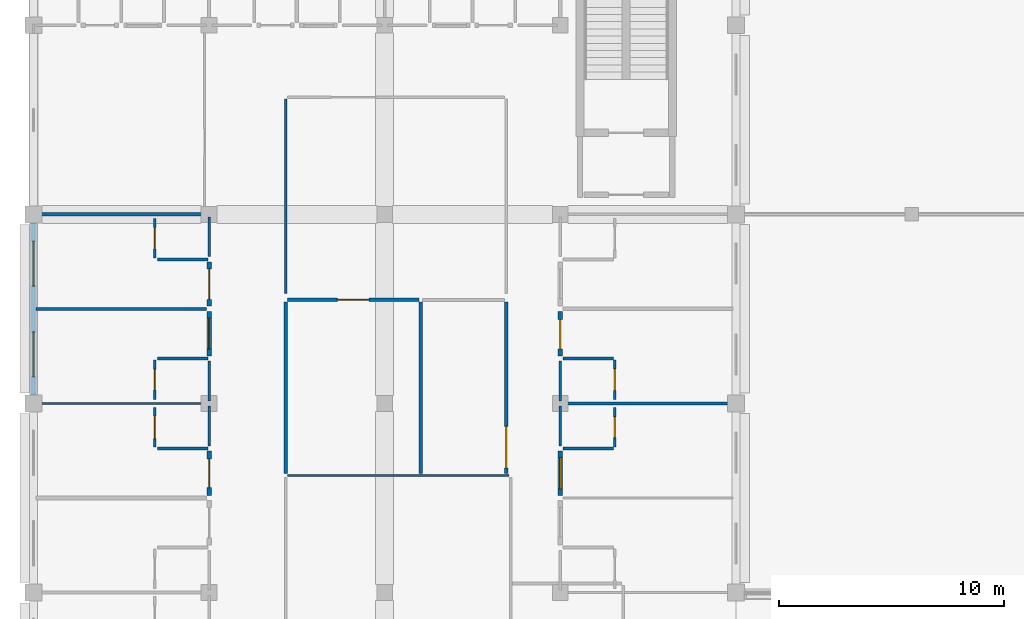
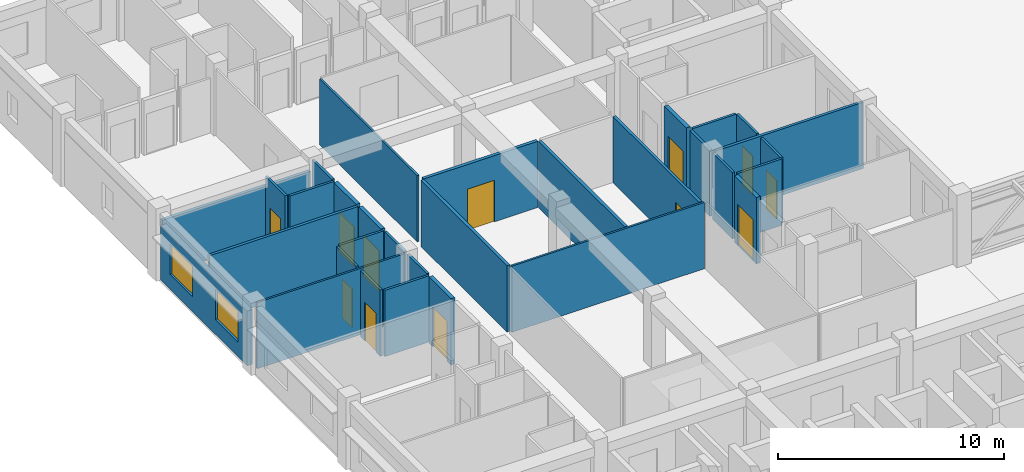
# One storey, part 57 of 72: 31 walls, 12 doors, 2 windows, 14 openings.
"""IFC4 building model written with IfcOpenShell, lengths in metres."""

from ifc_helpers import new_model, si_unit, direction, frame, frame_2d, origin, place, context, subcontext, project, spatial, rectangle, extrude, material, layer, layer_set, type_object, element, fill, save


model = new_model("IFC4")

# Units and contexts
model_context = context("Model", 3, precision=1e-05, world=origin(), true_north=direction((0.0, 1.0)))
body_context = subcontext(model_context, "Body", "Model", "MODEL_VIEW")
ifc_project = project(units=[si_unit("LENGTHUNIT", "METRE"), si_unit("AREAUNIT", "SQUARE_METRE"), si_unit("VOLUMEUNIT", "CUBIC_METRE"), si_unit("PLANEANGLEUNIT", "RADIAN"), si_unit("MASSUNIT", "GRAM", prefix="KILO"), si_unit("THERMODYNAMICTEMPERATUREUNIT", "KELVIN"), si_unit("POWERUNIT", "WATT")], contexts=[model_context])

# Site, building, storey
site_placement = place(None, origin())
site = spatial("IfcSite", under=ifc_project, at=site_placement, CompositionType="ELEMENT")
building_placement = place(site_placement, origin())
building = spatial("IfcBuilding", under=site, at=building_placement, Name="Srebrne Nadtorze General Hospital", CompositionType="ELEMENT")
storey_placement = place(building_placement, frame((0.0, 0.0, 22.199951171875)))
storey = spatial("IfcBuildingStorey", under=building, at=storey_placement, Name="L05", CompositionType="ELEMENT", Elevation=22.199951171875)

# Walls
ifc_material_1 = material(Name="Gypsum Healthcare Partition")
ifc_layer_1 = layer(ifc_material_1, 0.139892578125)
ifc_layer_set_1 = layer_set([ifc_layer_1], Name="Gypsum Healthcare Partition")
wall_type_1 = type_object("IfcWallType", Name="Clinical partition 140", PredefinedType="PARTITIONING", material=ifc_layer_set_1)
for number, where, z_axis, x_axis, name in (
    (1, (23.52001953125, 71.39990234375, 0.0), (0.0, 0.0, 1.0), (1.0, 0.0, 0.0), "Ward inter-room partition WL-INT-L05-1973"),
    (2, (46.919921875, 67.199951171875, 0.0), (0.0, 0.0, 1.0), (1.0, 0.0, 0.0), "Ward inter-room partition WL-INT-L05-1989"),
):
    element("IfcWall", number, at=place(storey_placement, frame(where, z_axis=z_axis, x_axis=x_axis)), inside=storey, type_object=wall_type_1, Name=name, PredefinedType="PARTITIONING", context=body_context, shape_type="SweptSolid", body=[
        extrude(rectangle(XDim=7.56005859375, YDim=0.139892578125, at=frame_2d((3.780029296875, 0.0))), origin(), (0.0, 0.0, 1.0), 3.580078125),
    ])

# Wall, opening, door
wall_1_placement = place(storey_placement, frame((44.39990234375, 64.0849609375, 0.0), z_axis=(0.0, 0.0, 1.0), x_axis=(0.0, 1.0, 0.0)))
wall_1 = element("IfcWall", 3, at=wall_1_placement, inside=storey, type_object=wall_type_1, Name="Dirty Utility wall WL-INT-L05-2113", PredefinedType="PARTITIONING", context=body_context, shape_type="SweptSolid", body=[
    extrude(rectangle(XDim=7.630126953125, YDim=0.139892578125, at=frame_2d((3.81494140625, 0.0))), origin(), (0.0, 0.0, 1.0), 3.580078125),
])
opening_1_placement = place(wall_1_placement, frame((0.25, 0.0, 0.0)))
opening_1 = element("IfcOpeningElement", 4, at=opening_1_placement, cuts=wall_1, Name="Opening D-L05-0448", PredefinedType="OPENING", context=body_context, shape_type="SweptSolid", body=[
    extrude(rectangle(XDim=1.85009765625, YDim=2.300048828125, at=frame_2d((0.925048828125, 1.14990234375))), frame((0.0, 0.08203125, 0.0), z_axis=(0.0, -1.0, 0.0), x_axis=(1.0, 0.0, 0.0)), (0.0, 0.0, 1.0), 0.163818359375),
])
ifc_material_2 = material(Name="Anodised Aluminium", Category="aluminium")
door_type_1 = type_object("IfcDoorType", Name="Double leaf door 1850x2300", OperationType="DOUBLE_DOOR_SINGLE_SWING", PredefinedType="DOOR", material=ifc_material_2)
door_1_placement = place(opening_1_placement, origin())
door_1 = element("IfcDoor", 5, at=door_1_placement, inside=storey, type_object=door_type_1, Name="Dirty Utility door D-L05-0448", OperationType="DOUBLE_DOOR_SINGLE_SWING", OverallHeight=2.300048828125, OverallWidth=1.85009765625, PredefinedType="DOOR", context=body_context, shape_type="SweptSolid", body=[
    extrude(rectangle(XDim=1.85009765625, YDim=2.300048828125, at=frame_2d((0.925048828125, 1.14990234375))), frame((0.0, 0.02490234375, 0.0), z_axis=(0.0, -1.0, 0.0), x_axis=(1.0, 0.0, 0.0)), (0.0, 0.0, 1.0), 0.050048828125),
])
fill(opening_1, door_1)

# Wall
ifc_material_3 = material(Name="Gypsum Healthcare Partition")
ifc_layer_2 = layer(ifc_material_3, 0.159912109375)
ifc_layer_set_2 = layer_set([ifc_layer_2], Name="Gypsum Healthcare Partition")
wall_type_2 = type_object("IfcWallType", Name="Clinical partition 160", PredefinedType="PARTITIONING", material=ifc_layer_set_2)
wall_2_placement = place(storey_placement, frame((23.52001953125, 75.60009765625, 0.0), z_axis=(0.0, 0.0, 1.0), x_axis=(1.0, 0.0, 0.0)))
element("IfcWall", 6, at=wall_2_placement, inside=storey, type_object=wall_type_2, Name="Ward inter-room partition WL-INT-L05-1978", PredefinedType="PARTITIONING", context=body_context, shape_type="SweptSolid", body=[
    extrude(rectangle(XDim=7.56005859375, YDim=0.159912109375, at=frame_2d((3.780029296875, 0.0))), origin(), (0.0, 0.0, 1.0), 2.949951171875),
])

# Wall, opening, door
wall_3_placement = place(storey_placement, frame((34.68505859375, 71.800048828125, 0.0), z_axis=(0.0, 0.0, 1.0), x_axis=(1.0, 0.0, 0.0)))
wall_3 = element("IfcWall", 7, at=wall_3_placement, inside=storey, type_object=wall_type_2, Name="Clean Medication Preparation Suite wall WL-INT-L05-2110", PredefinedType="PARTITIONING", context=body_context, shape_type="SweptSolid", body=[
    extrude(rectangle(XDim=5.829833984375, YDim=0.159912109375, at=frame_2d((2.9150390625, 0.0))), origin(), (0.0, 0.0, 1.0), 3.580078125),
])
opening_2_placement = place(wall_3_placement, frame((2.215087890625, 0.0, 0.0)))
opening_2 = element("IfcOpeningElement", 8, at=opening_2_placement, cuts=wall_3, Name="Opening D-L05-0447", PredefinedType="OPENING", context=body_context, shape_type="SweptSolid", body=[
    extrude(rectangle(XDim=1.39990234375, YDim=2.25, at=frame_2d((0.699951171875, 1.125))), frame((0.0, 0.091796875, 0.0), z_axis=(0.0, -1.0, 0.0), x_axis=(1.0, 0.0, 0.0)), (0.0, 0.0, 1.0), 0.183837890625),
])
ifc_material_4 = material(Name="Anodised Aluminium", Category="aluminium")
door_type_2 = type_object("IfcDoorType", Name="Single leaf door 1400x2250", OperationType="NOTDEFINED", PredefinedType="DOOR", material=ifc_material_4)
door_2_placement = place(opening_2_placement, frame((1.39990234375, 0.0, 0.0), z_axis=(0.0, 0.0, 1.0), x_axis=(-1.0, 0.0, 0.0)))
door_2 = element("IfcDoor", 9, at=door_2_placement, inside=storey, type_object=door_type_2, Name="Clean Medication Preparation Suite door D-L05-0447", OperationType="SINGLE_SWING_LEFT", OverallHeight=2.25, OverallWidth=1.39990234375, PredefinedType="DOOR", context=body_context, shape_type="SweptSolid", body=[
    extrude(rectangle(XDim=1.39990234375, YDim=2.25, at=frame_2d((0.699951171875, 1.125))), frame((0.0, 0.02490234375, 0.0), z_axis=(0.0, -1.0, 0.0), x_axis=(1.0, 0.0, 0.0)), (0.0, 0.0, 1.0), 0.050048828125),
])
fill(opening_2, door_2)

# Walls
for number, where, z_axis, x_axis, name in (
    (10, (34.60009765625, 64.0849609375, 0.0), (0.0, 0.0, 1.0), (0.0, 1.0, 0.0), "Clean Medication Preparation Suite wall WL-INT-L05-2111"),
    (11, (40.60009765625, 64.0849609375, 0.0), (0.0, 0.0, 1.0), (0.0, 1.0, 0.0), "Clean Medication Preparation Suite wall WL-INT-L05-2112"),
):
    element("IfcWall", number, at=place(storey_placement, frame(where, z_axis=z_axis, x_axis=x_axis)), inside=storey, type_object=wall_type_2, Name=name, PredefinedType="PARTITIONING", context=body_context, shape_type="SweptSolid", body=[
        extrude(rectangle(XDim=7.630126953125, YDim=0.159912109375, at=frame_2d((3.81494140625, 0.0))), origin(), (0.0, 0.0, 1.0), 3.580078125),
    ])

# Wall, opening, door
ifc_material_5 = material(Name="Gypsum Healthcare Partition")
ifc_layer_3 = layer(ifc_material_5, 0.199951171875)
ifc_layer_set_3 = layer_set([ifc_layer_3], Name="Gypsum Healthcare Partition")
wall_type_3 = type_object("IfcWallType", Name="Compartment wall 200", PredefinedType="STANDARD", material=ifc_layer_set_3)
wall_4_placement = place(storey_placement, frame((31.199951171875, 63.1201171875, 0.0), z_axis=(0.0, 0.0, 1.0), x_axis=(0.0, 1.0, 0.0)))
wall_4 = element("IfcWall", 12, at=wall_4_placement, inside=storey, type_object=wall_type_3, Name="Ward corridor wall WL-INT-L05-1969", PredefinedType="STANDARD", context=body_context, shape_type="SweptSolid", body=[
    extrude(rectangle(XDim=1.9599609375, YDim=0.199951171875, at=frame_2d((0.97998046875, 0.0))), origin(), (0.0, 0.0, 1.0), 3.580078125),
])
opening_3_placement = place(wall_4_placement, frame((0.340087890625, 0.0, 0.0)))
opening_3 = element("IfcOpeningElement", 13, at=opening_3_placement, cuts=wall_4, Name="Opening D-L05-0392", PredefinedType="OPENING", context=body_context, shape_type="SweptSolid", body=[
    extrude(rectangle(XDim=1.280029296875, YDim=2.14990234375, at=frame_2d((0.64013671875, 1.074951171875))), frame((0.0, 0.11181640625, 0.0), z_axis=(0.0, -1.0, 0.0), x_axis=(1.0, 0.0, 0.0)), (0.0, 0.0, 1.0), 0.223876953125),
])
ifc_material_6 = material(Name="Anodised Aluminium", Category="aluminium")
door_type_3 = type_object("IfcDoorType", Name="Single leaf door 1280x2150", OperationType="NOTDEFINED", PredefinedType="DOOR", material=ifc_material_6)
door_3_placement = place(opening_3_placement, origin())
door_3 = element("IfcDoor", 14, at=door_3_placement, inside=storey, type_object=door_type_3, Name="Ward patient room door D-L05-0392", OperationType="SINGLE_SWING_LEFT", OverallHeight=2.14990234375, OverallWidth=1.280029296875, PredefinedType="DOOR", context=body_context, shape_type="SweptSolid", body=[
    extrude(rectangle(XDim=1.280029296875, YDim=2.14990234375, at=frame_2d((0.64013671875, 1.074951171875))), frame((0.0, 0.02490234375, 0.0), z_axis=(0.0, -1.0, 0.0), x_axis=(1.0, 0.0, 0.0)), (0.0, 0.0, 1.0), 0.050048828125),
])
fill(opening_3, door_3)

wall_5_placement = place(storey_placement, frame((31.199951171875, 69.320068359375, 0.0), z_axis=(0.0, 0.0, 1.0), x_axis=(0.0, 1.0, 0.0)))
wall_5 = element("IfcWall", 15, at=wall_5_placement, inside=storey, type_object=wall_type_3, Name="Ward corridor wall WL-INT-L05-1974", PredefinedType="STANDARD", context=body_context, shape_type="SweptSolid", body=[
    extrude(rectangle(XDim=1.9599609375, YDim=0.199951171875, at=frame_2d((0.97998046875, 0.0))), origin(), (0.0, 0.0, 1.0), 3.580078125),
])
opening_4_placement = place(wall_5_placement, frame((0.2900390625, 0.0, 0.0)))
opening_4 = element("IfcOpeningElement", 16, at=opening_4_placement, cuts=wall_5, Name="Opening D-L05-0394", PredefinedType="OPENING", context=body_context, shape_type="SweptSolid", body=[
    extrude(rectangle(XDim=1.3798828125, YDim=2.199951171875, at=frame_2d((0.68994140625, 1.10009765625))), frame((0.0, 0.11181640625, 0.0), z_axis=(0.0, -1.0, 0.0), x_axis=(1.0, 0.0, 0.0)), (0.0, 0.0, 1.0), 0.223876953125),
])
ifc_material_7 = material(Name="Anodised Aluminium", Category="aluminium")
door_type_4 = type_object("IfcDoorType", Name="Single leaf door 1380x2200", OperationType="NOTDEFINED", PredefinedType="DOOR", material=ifc_material_7)
door_4_placement = place(opening_4_placement, origin())
door_4 = element("IfcDoor", 17, at=door_4_placement, inside=storey, type_object=door_type_4, Name="Ward patient room door D-L05-0394", OperationType="SINGLE_SWING_LEFT", OverallHeight=2.199951171875, OverallWidth=1.3798828125, PredefinedType="DOOR", context=body_context, shape_type="SweptSolid", body=[
    extrude(rectangle(XDim=1.3798828125, YDim=2.199951171875, at=frame_2d((0.68994140625, 1.10009765625))), frame((0.0, 0.02490234375, 0.0), z_axis=(0.0, -1.0, 0.0), x_axis=(1.0, 0.0, 0.0)), (0.0, 0.0, 1.0), 0.050048828125),
])
fill(opening_4, door_4)

wall_6_placement = place(storey_placement, frame((31.199951171875, 71.52001953125, 0.0), z_axis=(0.0, 0.0, 1.0), x_axis=(0.0, 1.0, 0.0)))
wall_6 = element("IfcWall", 18, at=wall_6_placement, inside=storey, type_object=wall_type_3, Name="Ward corridor wall WL-INT-L05-1979", PredefinedType="STANDARD", context=body_context, shape_type="SweptSolid", body=[
    extrude(rectangle(XDim=1.9599609375, YDim=0.199951171875, at=frame_2d((0.97998046875, 0.0))), origin(), (0.0, 0.0, 1.0), 3.580078125),
])
opening_5_placement = place(wall_6_placement, frame((0.304931640625, 0.0, 0.0)))
opening_5 = element("IfcOpeningElement", 19, at=opening_5_placement, cuts=wall_6, Name="Opening D-L05-0396", PredefinedType="OPENING", context=body_context, shape_type="SweptSolid", body=[
    extrude(rectangle(XDim=1.35009765625, YDim=2.14990234375, at=frame_2d((0.675048828125, 1.074951171875))), frame((0.0, 0.11181640625, 0.0), z_axis=(0.0, -1.0, 0.0), x_axis=(1.0, 0.0, 0.0)), (0.0, 0.0, 1.0), 0.223876953125),
])
ifc_material_8 = material(Name="Anodised Aluminium", Category="aluminium")
door_type_5 = type_object("IfcDoorType", Name="Single leaf door 1350x2150", OperationType="NOTDEFINED", PredefinedType="DOOR", material=ifc_material_8)
door_5_placement = place(opening_5_placement, origin())
door_5 = element("IfcDoor", 20, at=door_5_placement, inside=storey, type_object=door_type_5, Name="Ward patient room door D-L05-0396", OperationType="SINGLE_SWING_LEFT", OverallHeight=2.14990234375, OverallWidth=1.35009765625, PredefinedType="DOOR", context=body_context, shape_type="SweptSolid", body=[
    extrude(rectangle(XDim=1.35009765625, YDim=2.14990234375, at=frame_2d((0.675048828125, 1.074951171875))), frame((0.0, 0.02490234375, 0.0), z_axis=(0.0, -1.0, 0.0), x_axis=(1.0, 0.0, 0.0)), (0.0, 0.0, 1.0), 0.050048828125),
])
fill(opening_5, door_5)

wall_7_placement = place(storey_placement, frame((46.800048828125, 63.1201171875, 0.0), z_axis=(0.0, 0.0, 1.0), x_axis=(0.0, 1.0, 0.0)))
wall_7 = element("IfcWall", 21, at=wall_7_placement, inside=storey, type_object=wall_type_3, Name="Ward corridor wall WL-INT-L05-1990", PredefinedType="STANDARD", context=body_context, shape_type="SweptSolid", body=[
    extrude(rectangle(XDim=1.9599609375, YDim=0.199951171875, at=frame_2d((0.97998046875, 0.0))), origin(), (0.0, 0.0, 1.0), 3.580078125),
])
opening_6_placement = place(wall_7_placement, frame((0.2900390625, 0.0, 0.0)))
opening_6 = element("IfcOpeningElement", 22, at=opening_6_placement, cuts=wall_7, Name="Opening D-L05-0400", PredefinedType="OPENING", context=body_context, shape_type="SweptSolid", body=[
    extrude(rectangle(XDim=1.3798828125, YDim=2.199951171875, at=frame_2d((0.68994140625, 1.10009765625))), frame((0.0, 0.11181640625, 0.0), z_axis=(0.0, -1.0, 0.0), x_axis=(1.0, 0.0, 0.0)), (0.0, 0.0, 1.0), 0.223876953125),
])
door_6_placement = place(opening_6_placement, frame((1.3798828125, 0.0, 0.0), z_axis=(0.0, 0.0, 1.0), x_axis=(-1.0, 0.0, 0.0)))
door_6 = element("IfcDoor", 23, at=door_6_placement, inside=storey, type_object=door_type_4, Name="Ward patient room door D-L05-0400", OperationType="SINGLE_SWING_LEFT", OverallHeight=2.199951171875, OverallWidth=1.3798828125, PredefinedType="DOOR", context=body_context, shape_type="SweptSolid", body=[
    extrude(rectangle(XDim=1.3798828125, YDim=2.199951171875, at=frame_2d((0.68994140625, 1.10009765625))), frame((0.0, 0.02490234375, 0.0), z_axis=(0.0, -1.0, 0.0), x_axis=(1.0, 0.0, 0.0)), (0.0, 0.0, 1.0), 0.050048828125),
])
fill(opening_6, door_6)

wall_8_placement = place(storey_placement, frame((46.800048828125, 69.320068359375, 0.0), z_axis=(0.0, 0.0, 1.0), x_axis=(0.0, 1.0, 0.0)))
wall_8 = element("IfcWall", 24, at=wall_8_placement, inside=storey, type_object=wall_type_3, Name="Ward corridor wall WL-INT-L05-1995", PredefinedType="STANDARD", context=body_context, shape_type="SweptSolid", body=[
    extrude(rectangle(XDim=1.9599609375, YDim=0.199951171875, at=frame_2d((0.97998046875, 0.0))), origin(), (0.0, 0.0, 1.0), 3.580078125),
])
opening_7_placement = place(wall_8_placement, frame((0.304931640625, 0.0, 0.0)))
opening_7 = element("IfcOpeningElement", 25, at=opening_7_placement, cuts=wall_8, Name="Opening D-L05-0402", PredefinedType="OPENING", context=body_context, shape_type="SweptSolid", body=[
    extrude(rectangle(XDim=1.300048828125, YDim=2.14990234375, at=frame_2d((0.64990234375, 1.074951171875))), frame((0.0, 0.11181640625, 0.0), z_axis=(0.0, -1.0, 0.0), x_axis=(1.0, 0.0, 0.0)), (0.0, 0.0, 1.0), 0.223876953125),
])
ifc_material_9 = material(Name="Anodised Aluminium", Category="aluminium")
door_type_6 = type_object("IfcDoorType", Name="Single leaf door 1300x2150", OperationType="NOTDEFINED", PredefinedType="DOOR", material=ifc_material_9)
door_7_placement = place(opening_7_placement, frame((1.300048828125, 0.0, 0.0), z_axis=(0.0, 0.0, 1.0), x_axis=(-1.0, 0.0, 0.0)))
door_7 = element("IfcDoor", 26, at=door_7_placement, inside=storey, type_object=door_type_6, Name="Ward patient room door D-L05-0402", OperationType="SINGLE_SWING_RIGHT", OverallHeight=2.14990234375, OverallWidth=1.300048828125, PredefinedType="DOOR", context=body_context, shape_type="SweptSolid", body=[
    extrude(rectangle(XDim=1.300048828125, YDim=2.14990234375, at=frame_2d((0.64990234375, 1.074951171875))), frame((0.0, 0.02490234375, 0.0), z_axis=(0.0, -1.0, 0.0), x_axis=(1.0, 0.0, 0.0)), (0.0, 0.0, 1.0), 0.050048828125),
])
fill(opening_7, door_7)

# Walls
ifc_material_10 = material(Name="Gypsum Healthcare Partition")
ifc_layer_4 = layer(ifc_material_10, 0.1201171875)
ifc_layer_set_4 = layer_set([ifc_layer_4], Name="Gypsum Healthcare Partition")
wall_type_4 = type_object("IfcWallType", Name="En-suite partition 120", PredefinedType="PARTITIONING", material=ifc_layer_set_4)
wall_9_placement = place(storey_placement, frame((31.199951171875, 65.320068359375, 0.0), z_axis=(0.0, 0.0, 1.0), x_axis=(0.0, 1.0, 0.0)))
element("IfcWall", 27, at=wall_9_placement, inside=storey, type_object=wall_type_4, Name="En-suite corridor wall WL-INT-L05-1970", PredefinedType="PARTITIONING", context=body_context, shape_type="SweptSolid", body=[
    extrude(rectangle(XDim=1.760009765625, YDim=0.1201171875, at=frame_2d((0.8798828125, 0.0))), origin(), (0.0, 0.0, 1.0), 3.580078125),
])
wall_10_placement = place(storey_placement, frame((28.89990234375, 65.199951171875, 0.0), z_axis=(0.0, 0.0, 1.0), x_axis=(1.0, 0.0, 0.0)))
element("IfcWall", 28, at=wall_10_placement, inside=storey, type_object=wall_type_4, Name="En-suite wet wall WL-INT-L05-1971", PredefinedType="PARTITIONING", context=body_context, shape_type="SweptSolid", body=[
    extrude(rectangle(XDim=2.239990234375, YDim=0.1201171875, at=frame_2d((1.1201171875, 0.0))), origin(), (0.0, 0.0, 1.0), 3.580078125),
])

# Wall, opening, door
wall_11_placement = place(storey_placement, frame((28.780029296875, 65.260009765625, 0.0), z_axis=(0.0, 0.0, 1.0), x_axis=(0.0, 1.0, 0.0)))
wall_11 = element("IfcWall", 29, at=wall_11_placement, inside=storey, type_object=wall_type_4, Name="En-suite wet wall WL-INT-L05-1972", PredefinedType="PARTITIONING", context=body_context, shape_type="SweptSolid", body=[
    extrude(rectangle(XDim=1.760009765625, YDim=0.1201171875, at=frame_2d((0.8798828125, 0.0))), origin(), (0.0, 0.0, 1.0), 3.580078125),
])
opening_8_placement = place(wall_11_placement, frame((0.3798828125, 0.0, 0.0)))
opening_8 = element("IfcOpeningElement", 30, at=opening_8_placement, cuts=wall_11, Name="Opening D-L05-0393", PredefinedType="OPENING", context=body_context, shape_type="SweptSolid", body=[
    extrude(rectangle(XDim=1.0, YDim=2.10009765625, at=frame_2d((0.5, 1.050048828125))), frame((0.0, 0.072021484375, 0.0), z_axis=(0.0, -1.0, 0.0), x_axis=(1.0, 0.0, 0.0)), (0.0, 0.0, 1.0), 0.14404296875),
])
ifc_material_11 = material(Name="Anodised Aluminium", Category="aluminium")
door_type_7 = type_object("IfcDoorType", Name="Single leaf door 1000x2100", OperationType="NOTDEFINED", PredefinedType="DOOR", material=ifc_material_11)
door_8_placement = place(opening_8_placement, frame((1.0, 0.0, 0.0), z_axis=(0.0, 0.0, 1.0), x_axis=(-1.0, 0.0, 0.0)))
door_8 = element("IfcDoor", 31, at=door_8_placement, inside=storey, type_object=door_type_7, Name="En-suite bathroom door D-L05-0393", OperationType="SINGLE_SWING_LEFT", OverallHeight=2.10009765625, OverallWidth=1.0, PredefinedType="DOOR", context=body_context, shape_type="SweptSolid", body=[
    extrude(rectangle(XDim=1.0, YDim=2.10009765625, at=frame_2d((0.5, 1.050048828125))), frame((0.0, 0.02490234375, 0.0), z_axis=(0.0, -1.0, 0.0), x_axis=(1.0, 0.0, 0.0)), (0.0, 0.0, 1.0), 0.050048828125),
])
fill(opening_8, door_8)

# Walls
wall_12_placement = place(storey_placement, frame((31.199951171875, 67.320068359375, 0.0), z_axis=(0.0, 0.0, 1.0), x_axis=(0.0, 1.0, 0.0)))
element("IfcWall", 32, at=wall_12_placement, inside=storey, type_object=wall_type_4, Name="En-suite corridor wall WL-INT-L05-1975", PredefinedType="PARTITIONING", context=body_context, shape_type="SweptSolid", body=[
    extrude(rectangle(XDim=1.760009765625, YDim=0.1201171875, at=frame_2d((0.8798828125, 0.0))), origin(), (0.0, 0.0, 1.0), 3.580078125),
])
wall_13_placement = place(storey_placement, frame((28.89990234375, 69.199951171875, 0.0), z_axis=(0.0, 0.0, 1.0), x_axis=(1.0, 0.0, 0.0)))
element("IfcWall", 33, at=wall_13_placement, inside=storey, type_object=wall_type_4, Name="En-suite wet wall WL-INT-L05-1976", PredefinedType="PARTITIONING", context=body_context, shape_type="SweptSolid", body=[
    extrude(rectangle(XDim=2.239990234375, YDim=0.1201171875, at=frame_2d((1.1201171875, 0.0))), origin(), (0.0, 0.0, 1.0), 3.580078125),
])

# Wall, opening, door
wall_14_placement = place(storey_placement, frame((28.780029296875, 67.3798828125, 0.0), z_axis=(0.0, 0.0, 1.0), x_axis=(0.0, 1.0, 0.0)))
wall_14 = element("IfcWall", 34, at=wall_14_placement, inside=storey, type_object=wall_type_4, Name="En-suite wet wall WL-INT-L05-1977", PredefinedType="PARTITIONING", context=body_context, shape_type="SweptSolid", body=[
    extrude(rectangle(XDim=1.760009765625, YDim=0.1201171875, at=frame_2d((0.8798828125, 0.0))), origin(), (0.0, 0.0, 1.0), 3.580078125),
])
opening_9_placement = place(wall_14_placement, frame((0.419921875, 0.0, 0.0)))
opening_9 = element("IfcOpeningElement", 35, at=opening_9_placement, cuts=wall_14, Name="Opening D-L05-0395", PredefinedType="OPENING", context=body_context, shape_type="SweptSolid", body=[
    extrude(rectangle(XDim=0.919921875, YDim=2.080078125, at=frame_2d((0.4599609375, 1.0400390625))), frame((0.0, 0.072021484375, 0.0), z_axis=(0.0, -1.0, 0.0), x_axis=(1.0, 0.0, 0.0)), (0.0, 0.0, 1.0), 0.14404296875),
])
ifc_material_12 = material(Name="Anodised Aluminium", Category="aluminium")
door_type_8 = type_object("IfcDoorType", Name="Single leaf door 920x2080", OperationType="NOTDEFINED", PredefinedType="DOOR", material=ifc_material_12)
door_9_placement = place(opening_9_placement, frame((0.919921875, 0.0, 0.0), z_axis=(0.0, 0.0, 1.0), x_axis=(-1.0, 0.0, 0.0)))
door_9 = element("IfcDoor", 36, at=door_9_placement, inside=storey, type_object=door_type_8, Name="En-suite bathroom door D-L05-0395", OperationType="SINGLE_SWING_LEFT", OverallHeight=2.080078125, OverallWidth=0.919921875, PredefinedType="DOOR", context=body_context, shape_type="SweptSolid", body=[
    extrude(rectangle(XDim=0.919921875, YDim=2.080078125, at=frame_2d((0.4599609375, 1.0400390625))), frame((0.0, 0.02490234375, 0.0), z_axis=(0.0, -1.0, 0.0), x_axis=(1.0, 0.0, 0.0)), (0.0, 0.0, 1.0), 0.050048828125),
])
fill(opening_9, door_9)

# Walls
wall_15_placement = place(storey_placement, frame((31.199951171875, 73.719970703125, 0.0), z_axis=(0.0, 0.0, 1.0), x_axis=(0.0, 1.0, 0.0)))
element("IfcWall", 37, at=wall_15_placement, inside=storey, type_object=wall_type_4, Name="En-suite corridor wall WL-INT-L05-1980", PredefinedType="PARTITIONING", context=body_context, shape_type="SweptSolid", body=[
    extrude(rectangle(XDim=1.760009765625, YDim=0.1201171875, at=frame_2d((0.8798828125, 0.0))), origin(), (0.0, 0.0, 1.0), 3.580078125),
])
wall_16_placement = place(storey_placement, frame((28.89990234375, 73.60009765625, 0.0), z_axis=(0.0, 0.0, 1.0), x_axis=(1.0, 0.0, 0.0)))
element("IfcWall", 38, at=wall_16_placement, inside=storey, type_object=wall_type_4, Name="En-suite wet wall WL-INT-L05-1981", PredefinedType="PARTITIONING", context=body_context, shape_type="SweptSolid", body=[
    extrude(rectangle(XDim=2.239990234375, YDim=0.1201171875, at=frame_2d((1.1201171875, 0.0))), origin(), (0.0, 0.0, 1.0), 3.580078125),
])

# Wall, opening, door
wall_17_placement = place(storey_placement, frame((28.780029296875, 73.659912109375, 0.0), z_axis=(0.0, 0.0, 1.0), x_axis=(0.0, 1.0, 0.0)))
wall_17 = element("IfcWall", 39, at=wall_17_placement, inside=storey, type_object=wall_type_4, Name="En-suite wet wall WL-INT-L05-1982", PredefinedType="PARTITIONING", context=body_context, shape_type="SweptSolid", body=[
    extrude(rectangle(XDim=1.760009765625, YDim=0.1201171875, at=frame_2d((0.8798828125, 0.0))), origin(), (0.0, 0.0, 1.0), 3.580078125),
])
opening_10_placement = place(wall_17_placement, frame((0.405029296875, 0.0, 0.0)))
opening_10 = element("IfcOpeningElement", 40, at=opening_10_placement, cuts=wall_17, Name="Opening D-L05-0397", PredefinedType="OPENING", context=body_context, shape_type="SweptSolid", body=[
    extrude(rectangle(XDim=0.949951171875, YDim=2.10009765625, at=frame_2d((0.47509765625, 1.050048828125))), frame((0.0, 0.072021484375, 0.0), z_axis=(0.0, -1.0, 0.0), x_axis=(1.0, 0.0, 0.0)), (0.0, 0.0, 1.0), 0.14404296875),
])
ifc_material_13 = material(Name="Anodised Aluminium", Category="aluminium")
door_type_9 = type_object("IfcDoorType", Name="Single leaf door 950x2100", OperationType="NOTDEFINED", PredefinedType="DOOR", material=ifc_material_13)
door_10_placement = place(opening_10_placement, frame((0.949951171875, 0.0, 0.0), z_axis=(0.0, 0.0, 1.0), x_axis=(-1.0, 0.0, 0.0)))
door_10 = element("IfcDoor", 41, at=door_10_placement, inside=storey, type_object=door_type_9, Name="En-suite bathroom door D-L05-0397", OperationType="SINGLE_SWING_LEFT", OverallHeight=2.10009765625, OverallWidth=0.949951171875, PredefinedType="DOOR", context=body_context, shape_type="SweptSolid", body=[
    extrude(rectangle(XDim=0.949951171875, YDim=2.10009765625, at=frame_2d((0.47509765625, 1.050048828125))), frame((0.0, 0.02490234375, 0.0), z_axis=(0.0, -1.0, 0.0), x_axis=(1.0, 0.0, 0.0)), (0.0, 0.0, 1.0), 0.050048828125),
])
fill(opening_10, door_10)

# Walls
wall_18_placement = place(storey_placement, frame((46.800048828125, 65.320068359375, 0.0), z_axis=(0.0, 0.0, 1.0), x_axis=(0.0, 1.0, 0.0)))
element("IfcWall", 42, at=wall_18_placement, inside=storey, type_object=wall_type_4, Name="En-suite corridor wall WL-INT-L05-1991", PredefinedType="PARTITIONING", context=body_context, shape_type="SweptSolid", body=[
    extrude(rectangle(XDim=1.760009765625, YDim=0.1201171875, at=frame_2d((0.8798828125, 0.0))), origin(), (0.0, 0.0, 1.0), 3.580078125),
])
wall_19_placement = place(storey_placement, frame((46.919921875, 65.199951171875, 0.0), z_axis=(0.0, 0.0, 1.0), x_axis=(1.0, 0.0, 0.0)))
element("IfcWall", 43, at=wall_19_placement, inside=storey, type_object=wall_type_4, Name="En-suite wet wall WL-INT-L05-1992", PredefinedType="PARTITIONING", context=body_context, shape_type="SweptSolid", body=[
    extrude(rectangle(XDim=2.239990234375, YDim=0.1201171875, at=frame_2d((1.1201171875, 0.0))), origin(), (0.0, 0.0, 1.0), 3.580078125),
])

# Wall, opening, door
wall_20_placement = place(storey_placement, frame((49.219970703125, 65.260009765625, 0.0), z_axis=(0.0, 0.0, 1.0), x_axis=(0.0, 1.0, 0.0)))
wall_20 = element("IfcWall", 44, at=wall_20_placement, inside=storey, type_object=wall_type_4, Name="En-suite wet wall WL-INT-L05-1993", PredefinedType="PARTITIONING", context=body_context, shape_type="SweptSolid", body=[
    extrude(rectangle(XDim=1.760009765625, YDim=0.1201171875, at=frame_2d((0.8798828125, 0.0))), origin(), (0.0, 0.0, 1.0), 3.580078125),
])
opening_11_placement = place(wall_20_placement, frame((0.419921875, 0.0, 0.0)))
opening_11 = element("IfcOpeningElement", 45, at=opening_11_placement, cuts=wall_20, Name="Opening D-L05-0401", PredefinedType="OPENING", context=body_context, shape_type="SweptSolid", body=[
    extrude(rectangle(XDim=0.919921875, YDim=2.080078125, at=frame_2d((0.4599609375, 1.0400390625))), frame((0.0, 0.072021484375, 0.0), z_axis=(0.0, -1.0, 0.0), x_axis=(1.0, 0.0, 0.0)), (0.0, 0.0, 1.0), 0.14404296875),
])
door_11_placement = place(opening_11_placement, origin())
door_11 = element("IfcDoor", 46, at=door_11_placement, inside=storey, type_object=door_type_8, Name="En-suite bathroom door D-L05-0401", OperationType="SINGLE_SWING_LEFT", OverallHeight=2.080078125, OverallWidth=0.919921875, PredefinedType="DOOR", context=body_context, shape_type="SweptSolid", body=[
    extrude(rectangle(XDim=0.919921875, YDim=2.080078125, at=frame_2d((0.4599609375, 1.0400390625))), frame((0.0, 0.02490234375, 0.0), z_axis=(0.0, -1.0, 0.0), x_axis=(1.0, 0.0, 0.0)), (0.0, 0.0, 1.0), 0.050048828125),
])
fill(opening_11, door_11)

# Walls
wall_21_placement = place(storey_placement, frame((46.800048828125, 67.320068359375, 0.0), z_axis=(0.0, 0.0, 1.0), x_axis=(0.0, 1.0, 0.0)))
element("IfcWall", 47, at=wall_21_placement, inside=storey, type_object=wall_type_4, Name="En-suite corridor wall WL-INT-L05-1996", PredefinedType="PARTITIONING", context=body_context, shape_type="SweptSolid", body=[
    extrude(rectangle(XDim=1.760009765625, YDim=0.1201171875, at=frame_2d((0.8798828125, 0.0))), origin(), (0.0, 0.0, 1.0), 3.580078125),
])
wall_22_placement = place(storey_placement, frame((46.919921875, 69.199951171875, 0.0), z_axis=(0.0, 0.0, 1.0), x_axis=(1.0, 0.0, 0.0)))
element("IfcWall", 48, at=wall_22_placement, inside=storey, type_object=wall_type_4, Name="En-suite wet wall WL-INT-L05-1997", PredefinedType="PARTITIONING", context=body_context, shape_type="SweptSolid", body=[
    extrude(rectangle(XDim=2.239990234375, YDim=0.1201171875, at=frame_2d((1.1201171875, 0.0))), origin(), (0.0, 0.0, 1.0), 3.580078125),
])

# Wall, opening, door
wall_23_placement = place(storey_placement, frame((49.219970703125, 67.3798828125, 0.0), z_axis=(0.0, 0.0, 1.0), x_axis=(0.0, 1.0, 0.0)))
wall_23 = element("IfcWall", 49, at=wall_23_placement, inside=storey, type_object=wall_type_4, Name="En-suite wet wall WL-INT-L05-1998", PredefinedType="PARTITIONING", context=body_context, shape_type="SweptSolid", body=[
    extrude(rectangle(XDim=1.760009765625, YDim=0.1201171875, at=frame_2d((0.8798828125, 0.0))), origin(), (0.0, 0.0, 1.0), 3.580078125),
])
opening_12_placement = place(wall_23_placement, frame((0.405029296875, 0.0, 0.0)))
opening_12 = element("IfcOpeningElement", 50, at=opening_12_placement, cuts=wall_23, Name="Opening D-L05-0403", PredefinedType="OPENING", context=body_context, shape_type="SweptSolid", body=[
    extrude(rectangle(XDim=0.949951171875, YDim=2.10009765625, at=frame_2d((0.47509765625, 1.050048828125))), frame((0.0, 0.072021484375, 0.0), z_axis=(0.0, -1.0, 0.0), x_axis=(1.0, 0.0, 0.0)), (0.0, 0.0, 1.0), 0.14404296875),
])
door_12_placement = place(opening_12_placement, origin())
door_12 = element("IfcDoor", 51, at=door_12_placement, inside=storey, type_object=door_type_9, Name="En-suite bathroom door D-L05-0403", OperationType="SINGLE_SWING_LEFT", OverallHeight=2.10009765625, OverallWidth=0.949951171875, PredefinedType="DOOR", context=body_context, shape_type="SweptSolid", body=[
    extrude(rectangle(XDim=0.949951171875, YDim=2.10009765625, at=frame_2d((0.47509765625, 1.050048828125))), frame((0.0, 0.02490234375, 0.0), z_axis=(0.0, -1.0, 0.0), x_axis=(1.0, 0.0, 0.0)), (0.0, 0.0, 1.0), 0.050048828125),
])
fill(opening_12, door_12)

# Walls
ifc_material_14 = material(Name="Gypsum Healthcare Partition")
ifc_layer_5 = layer(ifc_material_14, 0.10009765625)
ifc_layer_set_5 = layer_set([ifc_layer_5], Name="Gypsum Healthcare Partition")
wall_type_5 = type_object("IfcWallType", Name="Shaft lining wall 100", PredefinedType="PARTITIONING", material=ifc_layer_set_5)
wall_24_placement = place(storey_placement, frame((23.52001953125, 67.199951171875, 0.0), z_axis=(0.0, 0.0, 1.0), x_axis=(1.0, 0.0, 0.0)))
element("IfcWall", 52, at=wall_24_placement, inside=storey, type_object=wall_type_5, Name="Ward inter-room partition WL-INT-L05-1968", PredefinedType="PARTITIONING", context=body_context, shape_type="SweptSolid", body=[
    extrude(rectangle(XDim=7.56005859375, YDim=0.10009765625, at=frame_2d((3.780029296875, 0.0))), origin(), (0.0, 0.0, 1.0), 3.580078125),
])
wall_25_placement = place(storey_placement, frame((34.68505859375, 64.0, 0.0), z_axis=(0.0, 0.0, 1.0), x_axis=(1.0, 0.0, 0.0)))
element("IfcWall", 53, at=wall_25_placement, inside=storey, type_object=wall_type_5, Name="Nursing Station wall WL-INT-L05-2107", PredefinedType="PARTITIONING", context=body_context, shape_type="SweptSolid", body=[
    extrude(rectangle(XDim=9.829833984375, YDim=0.10009765625, at=frame_2d((4.9150390625, 0.0))), origin(), (0.0, 0.0, 1.0), 3.580078125),
])
wall_26_placement = place(storey_placement, frame((34.60009765625, 72.0849609375, 0.0), z_axis=(0.0, 0.0, 1.0), x_axis=(0.0, 1.0, 0.0)))
element("IfcWall", 54, at=wall_26_placement, inside=storey, type_object=wall_type_5, Name="Neuro-Rehabilitation Gait Room wall WL-INT-L05-2116", PredefinedType="PARTITIONING", context=body_context, shape_type="SweptSolid", body=[
    extrude(rectangle(XDim=8.630126953125, YDim=0.10009765625, at=frame_2d((4.31494140625, 0.0))), origin(), (0.0, 0.0, 1.0), 3.580078125),
])

# Wall, openings, windows
ifc_material_15 = material(Name="Concrete C35/45 precast", Category="concrete")
ifc_layer_6 = layer(ifc_material_15, 0.280029296875)
ifc_layer_set_6 = layer_set([ifc_layer_6], Name="Concrete C35/45 precast")
wall_type_6 = type_object("IfcWallType", Name="Spandrel wall 280", PredefinedType="STANDARD", material=ifc_layer_set_6)
wall_27_placement = place(storey_placement, frame((23.39990234375, 67.574951171875, 0.0), z_axis=(0.0, 0.0, 1.0), x_axis=(0.0, 1.0, 0.0)))
wall_27 = element("IfcWall", 55, at=wall_27_placement, inside=storey, type_object=wall_type_6, Name="Exterior wall WL-ENV-L05-0431", PredefinedType="STANDARD", context=body_context, shape_type="SweptSolid", body=[
    extrude(rectangle(XDim=7.650146484375, YDim=0.280029296875, at=frame_2d((3.8251953125, 0.0))), origin(), (0.0, 0.0, 1.0), 2.949951171875),
])
opening_13_placement = place(wall_27_placement, frame((0.80908203125, 0.0, 0.800048828125)))
opening_13 = element("IfcOpeningElement", 56, at=opening_13_placement, cuts=wall_27, Name="Opening WN-L05-0691", PredefinedType="OPENING", context=body_context, shape_type="SweptSolid", body=[
    extrude(rectangle(XDim=2.0, YDim=1.64990234375, at=frame_2d((1.0, 0.824951171875))), frame((0.0, 0.15185546875, 0.0), z_axis=(0.0, -1.0, 0.0), x_axis=(1.0, 0.0, 0.0)), (0.0, 0.0, 1.0), 0.303955078125),
])
opening_14_placement = place(wall_27_placement, frame((4.841064453125, 0.0, 0.800048828125)))
opening_14 = element("IfcOpeningElement", 57, at=opening_14_placement, cuts=wall_27, Name="Opening WN-L05-0692", PredefinedType="OPENING", context=body_context, shape_type="SweptSolid", body=[
    extrude(rectangle(XDim=2.0, YDim=1.64990234375, at=frame_2d((1.0, 0.824951171875))), frame((0.0, 0.15185546875, 0.0), z_axis=(0.0, -1.0, 0.0), x_axis=(1.0, 0.0, 0.0)), (0.0, 0.0, 1.0), 0.303955078125),
])
ifc_material_16 = material(Name="Triple Low-E Glazing", Category="glass")
window_type = type_object("IfcWindowType", Name="Punched clinical window 2000x1650", PartitioningType="DOUBLE_PANEL_VERTICAL", PredefinedType="WINDOW", material=ifc_material_16)
window_1_placement = place(opening_13_placement, origin())
window_1 = element("IfcWindow", 58, at=window_1_placement, inside=storey, type_object=window_type, Name="Clinical window WN-L05-0691", OverallHeight=1.64990234375, OverallWidth=2.0, PartitioningType="DOUBLE_PANEL_VERTICAL", PredefinedType="WINDOW", context=body_context, shape_type="SweptSolid", body=[
    extrude(rectangle(XDim=2.0, YDim=1.64990234375, at=frame_2d((1.0, 0.824951171875))), frame((0.0, 0.030029296875, 0.0), z_axis=(0.0, -1.0, 0.0), x_axis=(1.0, 0.0, 0.0)), (0.0, 0.0, 1.0), 0.06005859375),
])
fill(opening_13, window_1)
window_2_placement = place(opening_14_placement, origin())
window_2 = element("IfcWindow", 59, at=window_2_placement, inside=storey, type_object=window_type, Name="Clinical window WN-L05-0692", OverallHeight=1.64990234375, OverallWidth=2.0, PartitioningType="DOUBLE_PANEL_VERTICAL", PredefinedType="WINDOW", context=body_context, shape_type="SweptSolid", body=[
    extrude(rectangle(XDim=2.0, YDim=1.64990234375, at=frame_2d((1.0, 0.824951171875))), frame((0.0, 0.030029296875, 0.0), z_axis=(0.0, -1.0, 0.0), x_axis=(1.0, 0.0, 0.0)), (0.0, 0.0, 1.0), 0.06005859375),
])
fill(opening_14, window_2)

save(model, "model.ifc")
